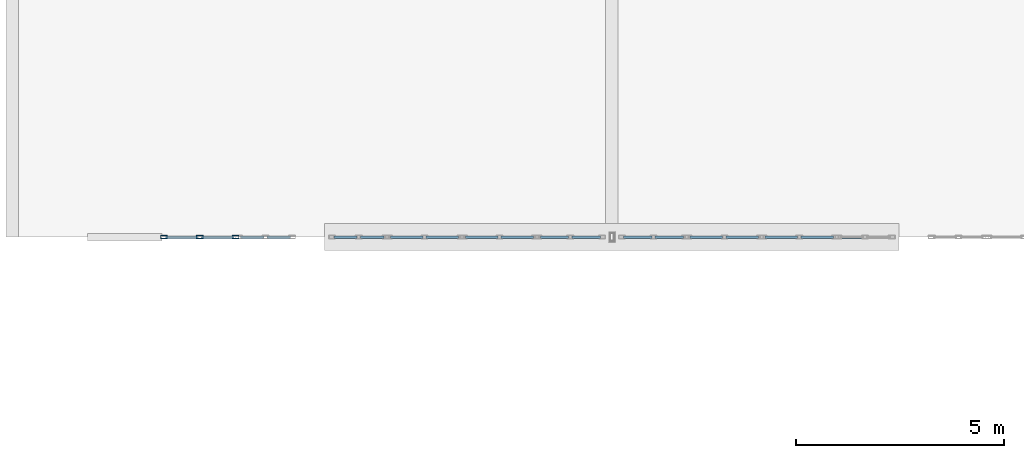
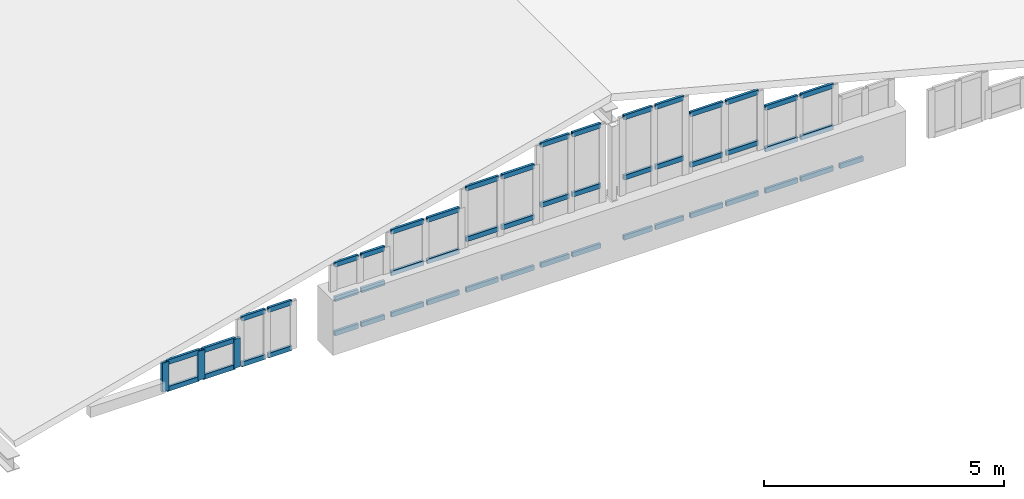
# One storey, part 32 of 76: 54 members, 10 elements without a shape of their own.
"""IFC4 building model written with IfcOpenShell, lengths in metres."""

from ifc_helpers import new_model, si_unit, direction, frame, origin, origin_2d, place, context, subcontext, project, spatial, hollow_rectangle, extrude, material, layer, layer_set, material_profile, profile_set, type_object, element, aggregate, save


model = new_model("IFC4")

# Units and contexts
model_context = context("Model", 3, precision=1e-05, world=origin(), true_north=direction((0.0, 1.0)))
body_context = subcontext(model_context, "Body", "Model", "MODEL_VIEW")
ifc_project = project(units=[si_unit("LENGTHUNIT", "METRE"), si_unit("AREAUNIT", "SQUARE_METRE"), si_unit("VOLUMEUNIT", "CUBIC_METRE"), si_unit("PLANEANGLEUNIT", "RADIAN"), si_unit("MASSUNIT", "GRAM", prefix="KILO"), si_unit("THERMODYNAMICTEMPERATUREUNIT", "KELVIN"), si_unit("POWERUNIT", "WATT")], contexts=[model_context])

# Site, building, storey
site_placement = place(None, origin())
site = spatial("IfcSite", under=ifc_project, at=site_placement, CompositionType="ELEMENT")
building_placement = place(site_placement, origin())
building = spatial("IfcBuilding", under=site, at=building_placement, Name="Kaldorven Railside Theatre", CompositionType="ELEMENT")
storey_placement = place(building_placement, frame((0.0, 0.0, 14.39990234375)))
storey = spatial("IfcBuildingStorey", under=building, at=storey_placement, Name="L03", CompositionType="ELEMENT", Elevation=14.39990234375)

# Curtain wall, members
ifc_material_1 = material(Name="Low-E laminated solar-control glass", Category="glass")
ifc_layer_1 = layer(ifc_material_1, 0.159912109375, Name="Low-E laminated solar-control glass")
ifc_layer_set_1 = layer_set([ifc_layer_1], Name="Low-E laminated solar-control glass")
curtain_wall_type_1 = type_object("IfcCurtainWallType", Name="CWT-60", PredefinedType="USERDEFINED", material=ifc_layer_set_1)
curtain_wall_1_placement = place(storey_placement, origin())
curtain_wall_1 = element("IfcCurtainWall", 1, at=curtain_wall_1_placement, inside=storey, type_object=curtain_wall_type_1, Name="Studio South Gable Clerestory CWG-112", ObjectType="FLUTED GLAZING", PredefinedType="USERDEFINED")
ifc_material_2 = material(Name="Anodised bronze aluminium", Category="aluminium")
ifc_material_profile_1 = material_profile(ifc_material_2, hollow_rectangle(XDim=0.080078125, YDim=0.159912109375, WallThickness=0.00634765625, at=origin_2d()), Name="RHS 160x80x6.3")
ifc_profile_set_1 = profile_set([ifc_material_profile_1], Name="Anodised bronze aluminium")
member_type_1 = type_object("IfcMemberType", Name="CWM-160", PredefinedType="MULLION", material=ifc_profile_set_1)
member_1_placement = place(storey_placement, frame((11.639892578125, 19.199951171875, 0.02001953125), z_axis=(0.0, 0.0, 1.0), x_axis=(0.0, 1.0, 0.0)))
member_1 = element("IfcMember", 2, at=member_1_placement, type_object=member_type_1, Name="CWG-112 mullion 1", PredefinedType="MULLION", context=body_context, shape_type="SweptSolid", body=[
    extrude(hollow_rectangle(XDim=0.080078125, YDim=0.159912109375, WallThickness=0.00634765625, at=origin_2d()), origin(), (0.0, 0.0, 1.0), 0.739990234375),
])
member_2_placement = place(storey_placement, frame((12.5, 19.199951171875, 0.02001953125), z_axis=(0.0, 0.0, 1.0), x_axis=(0.0, 1.0, 0.0)))
member_2 = element("IfcMember", 3, at=member_2_placement, type_object=member_type_1, Name="CWG-112 mullion 2", PredefinedType="MULLION", context=body_context, shape_type="SweptSolid", body=[
    extrude(hollow_rectangle(XDim=0.080078125, YDim=0.159912109375, WallThickness=0.00634765625, at=origin_2d()), origin(), (0.0, 0.0, 1.0), 0.739990234375),
])
member_3_placement = place(storey_placement, frame((13.360107421875, 19.199951171875, 0.02001953125), z_axis=(0.0, 0.0, 1.0), x_axis=(0.0, 1.0, 0.0)))
member_3 = element("IfcMember", 4, at=member_3_placement, type_object=member_type_1, Name="CWG-112 mullion 3", PredefinedType="MULLION", context=body_context, shape_type="SweptSolid", body=[
    extrude(hollow_rectangle(XDim=0.080078125, YDim=0.159912109375, WallThickness=0.00634765625, at=origin_2d()), origin(), (0.0, 0.0, 1.0), 0.739990234375),
])
ifc_material_profile_2 = material_profile(ifc_material_2, hollow_rectangle(XDim=0.06005859375, YDim=0.1201171875, WallThickness=0.0048828125, at=origin_2d()), Name="RHS 120x60x5")
ifc_profile_set_2 = profile_set([ifc_material_profile_2], Name="Anodised bronze aluminium")
member_type_2 = type_object("IfcMemberType", Name="CWT-120", PredefinedType="USERDEFINED", material=ifc_profile_set_2)
member_4_placement = place(storey_placement, frame((11.679931640625, 19.199951171875, 0.050048828125), z_axis=(1.0, 0.0, 0.0), x_axis=(0.0, 1.0, 0.0)))
member_4 = element("IfcMember", 5, at=member_4_placement, type_object=member_type_2, Name="CWG-112 transom 1.1", ObjectType="TRANSOM", PredefinedType="USERDEFINED", context=body_context, shape_type="SweptSolid", body=[
    extrude(hollow_rectangle(XDim=0.06005859375, YDim=0.1201171875, WallThickness=0.0048828125, at=origin_2d()), origin(), (0.0, 0.0, 1.0), 0.780029296875),
])
member_5_placement = place(storey_placement, frame((11.679931640625, 19.199951171875, 0.72998046875), z_axis=(1.0, 0.0, 0.0), x_axis=(0.0, 1.0, 0.0)))
member_5 = element("IfcMember", 6, at=member_5_placement, type_object=member_type_2, Name="CWG-112 transom 1.2", ObjectType="TRANSOM", PredefinedType="USERDEFINED", context=body_context, shape_type="SweptSolid", body=[
    extrude(hollow_rectangle(XDim=0.06005859375, YDim=0.1201171875, WallThickness=0.0048828125, at=origin_2d()), origin(), (0.0, 0.0, 1.0), 0.780029296875),
])
member_6_placement = place(storey_placement, frame((12.5400390625, 19.199951171875, 0.050048828125), z_axis=(1.0, 0.0, 0.0), x_axis=(0.0, 1.0, 0.0)))
member_6 = element("IfcMember", 7, at=member_6_placement, type_object=member_type_2, Name="CWG-112 transom 2.1", ObjectType="TRANSOM", PredefinedType="USERDEFINED", context=body_context, shape_type="SweptSolid", body=[
    extrude(hollow_rectangle(XDim=0.06005859375, YDim=0.1201171875, WallThickness=0.0048828125, at=origin_2d()), origin(), (0.0, 0.0, 1.0), 0.780029296875),
])
member_7_placement = place(storey_placement, frame((12.5400390625, 19.199951171875, 0.72998046875), z_axis=(1.0, 0.0, 0.0), x_axis=(0.0, 1.0, 0.0)))
member_7 = element("IfcMember", 8, at=member_7_placement, type_object=member_type_2, Name="CWG-112 transom 2.2", ObjectType="TRANSOM", PredefinedType="USERDEFINED", context=body_context, shape_type="SweptSolid", body=[
    extrude(hollow_rectangle(XDim=0.06005859375, YDim=0.1201171875, WallThickness=0.0048828125, at=origin_2d()), origin(), (0.0, 0.0, 1.0), 0.780029296875),
])
aggregate(curtain_wall_1, [member_1, member_2, member_3, member_4, member_5, member_6, member_7])

ifc_layer_2 = layer(ifc_material_1, 0.159912109375, Name="Low-E laminated solar-control glass")
ifc_layer_set_2 = layer_set([ifc_layer_2], Name="Low-E laminated solar-control glass")
curtain_wall_type_2 = type_object("IfcCurtainWallType", Name="CWT-61", PredefinedType="USERDEFINED", material=ifc_layer_set_2)
curtain_wall_2_placement = place(storey_placement, origin())
curtain_wall_2 = element("IfcCurtainWall", 9, at=curtain_wall_2_placement, inside=storey, type_object=curtain_wall_type_2, Name="Studio South Gable Clerestory CWG-113", ObjectType="FLUTED GLAZING", PredefinedType="USERDEFINED")
member_8_placement = place(storey_placement, frame((13.47998046875, 19.199951171875, 0.050048828125), z_axis=(1.0, 0.0, 0.0), x_axis=(0.0, 1.0, 0.0)))
member_8 = element("IfcMember", 10, at=member_8_placement, type_object=member_type_2, Name="CWG-113 transom 1.1", ObjectType="TRANSOM", PredefinedType="USERDEFINED", context=body_context, shape_type="SweptSolid", body=[
    extrude(hollow_rectangle(XDim=0.06005859375, YDim=0.1201171875, WallThickness=0.0048828125, at=origin_2d()), origin(), (0.0, 0.0, 1.0), 0.56005859375),
])
member_9_placement = place(storey_placement, frame((13.47998046875, 19.199951171875, 1.210205078125), z_axis=(1.0, 0.0, 0.0), x_axis=(0.0, 1.0, 0.0)))
member_9 = element("IfcMember", 11, at=member_9_placement, type_object=member_type_2, Name="CWG-113 transom 1.2", ObjectType="TRANSOM", PredefinedType="USERDEFINED", context=body_context, shape_type="SweptSolid", body=[
    extrude(hollow_rectangle(XDim=0.06005859375, YDim=0.1201171875, WallThickness=0.0048828125, at=origin_2d()), origin(), (0.0, 0.0, 1.0), 0.56005859375),
])
member_10_placement = place(storey_placement, frame((14.1201171875, 19.199951171875, 0.050048828125), z_axis=(1.0, 0.0, 0.0), x_axis=(0.0, 1.0, 0.0)))
member_10 = element("IfcMember", 12, at=member_10_placement, type_object=member_type_2, Name="CWG-113 transom 2.1", ObjectType="TRANSOM", PredefinedType="USERDEFINED", context=body_context, shape_type="SweptSolid", body=[
    extrude(hollow_rectangle(XDim=0.06005859375, YDim=0.1201171875, WallThickness=0.0048828125, at=origin_2d()), origin(), (0.0, 0.0, 1.0), 0.559814453125),
])
member_11_placement = place(storey_placement, frame((14.1201171875, 19.199951171875, 1.210205078125), z_axis=(1.0, 0.0, 0.0), x_axis=(0.0, 1.0, 0.0)))
member_11 = element("IfcMember", 13, at=member_11_placement, type_object=member_type_2, Name="CWG-113 transom 2.2", ObjectType="TRANSOM", PredefinedType="USERDEFINED", context=body_context, shape_type="SweptSolid", body=[
    extrude(hollow_rectangle(XDim=0.06005859375, YDim=0.1201171875, WallThickness=0.0048828125, at=origin_2d()), origin(), (0.0, 0.0, 1.0), 0.559814453125),
])
aggregate(curtain_wall_2, [member_8, member_9, member_10, member_11])

ifc_layer_3 = layer(ifc_material_1, 0.159912109375, Name="Low-E laminated solar-control glass")
ifc_layer_set_3 = layer_set([ifc_layer_3], Name="Low-E laminated solar-control glass")
curtain_wall_type_3 = type_object("IfcCurtainWallType", Name="CWT-62", PredefinedType="USERDEFINED", material=ifc_layer_set_3)
curtain_wall_3_placement = place(storey_placement, origin())
curtain_wall_3 = element("IfcCurtainWall", 14, at=curtain_wall_3_placement, inside=storey, type_object=curtain_wall_type_3, Name="Studio South Gable Clerestory CWG-114", ObjectType="FLUTED GLAZING", PredefinedType="USERDEFINED")
member_12_placement = place(storey_placement, frame((15.719970703125, 19.199951171875, 0.050048828125), z_axis=(1.0, 0.0, 0.0), x_axis=(0.0, 1.0, 0.0)))
member_12 = element("IfcMember", 15, at=member_12_placement, type_object=member_type_2, Name="CWG-114 transom 1.1", ObjectType="TRANSOM", PredefinedType="USERDEFINED", context=body_context, shape_type="SweptSolid", body=[
    extrude(hollow_rectangle(XDim=0.06005859375, YDim=0.1201171875, WallThickness=0.0048828125, at=origin_2d()), origin(), (0.0, 0.0, 1.0), 0.56005859375),
])
member_13_placement = place(storey_placement, frame((15.719970703125, 19.199951171875, 0.925048828125), z_axis=(1.0, 0.0, 0.0), x_axis=(0.0, 1.0, 0.0)))
member_13 = element("IfcMember", 16, at=member_13_placement, type_object=member_type_2, Name="CWG-114 transom 1.2", ObjectType="TRANSOM", PredefinedType="USERDEFINED", context=body_context, shape_type="SweptSolid", body=[
    extrude(hollow_rectangle(XDim=0.06005859375, YDim=0.1201171875, WallThickness=0.0048828125, at=origin_2d()), origin(), (0.0, 0.0, 1.0), 0.56005859375),
])
member_14_placement = place(storey_placement, frame((15.719970703125, 19.199951171875, 1.800048828125), z_axis=(1.0, 0.0, 0.0), x_axis=(0.0, 1.0, 0.0)))
member_14 = element("IfcMember", 17, at=member_14_placement, type_object=member_type_2, Name="CWG-114 transom 1.3", ObjectType="TRANSOM", PredefinedType="USERDEFINED", context=body_context, shape_type="SweptSolid", body=[
    extrude(hollow_rectangle(XDim=0.06005859375, YDim=0.1201171875, WallThickness=0.0048828125, at=origin_2d()), origin(), (0.0, 0.0, 1.0), 0.56005859375),
])
member_15_placement = place(storey_placement, frame((16.360107421875, 19.199951171875, 0.050048828125), z_axis=(1.0, 0.0, 0.0), x_axis=(0.0, 1.0, 0.0)))
member_15 = element("IfcMember", 18, at=member_15_placement, type_object=member_type_2, Name="CWG-114 transom 2.1", ObjectType="TRANSOM", PredefinedType="USERDEFINED", context=body_context, shape_type="SweptSolid", body=[
    extrude(hollow_rectangle(XDim=0.06005859375, YDim=0.1201171875, WallThickness=0.0048828125, at=origin_2d()), origin(), (0.0, 0.0, 1.0), 0.559814453125),
])
member_16_placement = place(storey_placement, frame((16.360107421875, 19.199951171875, 0.925048828125), z_axis=(1.0, 0.0, 0.0), x_axis=(0.0, 1.0, 0.0)))
member_16 = element("IfcMember", 19, at=member_16_placement, type_object=member_type_2, Name="CWG-114 transom 2.2", ObjectType="TRANSOM", PredefinedType="USERDEFINED", context=body_context, shape_type="SweptSolid", body=[
    extrude(hollow_rectangle(XDim=0.06005859375, YDim=0.1201171875, WallThickness=0.0048828125, at=origin_2d()), origin(), (0.0, 0.0, 1.0), 0.559814453125),
])
member_17_placement = place(storey_placement, frame((16.360107421875, 19.199951171875, 1.800048828125), z_axis=(1.0, 0.0, 0.0), x_axis=(0.0, 1.0, 0.0)))
member_17 = element("IfcMember", 20, at=member_17_placement, type_object=member_type_2, Name="CWG-114 transom 2.3", ObjectType="TRANSOM", PredefinedType="USERDEFINED", context=body_context, shape_type="SweptSolid", body=[
    extrude(hollow_rectangle(XDim=0.06005859375, YDim=0.1201171875, WallThickness=0.0048828125, at=origin_2d()), origin(), (0.0, 0.0, 1.0), 0.559814453125),
])
aggregate(curtain_wall_3, [member_12, member_13, member_14, member_15, member_16, member_17])

ifc_layer_4 = layer(ifc_material_1, 0.159912109375, Name="Low-E laminated solar-control glass")
ifc_layer_set_4 = layer_set([ifc_layer_4], Name="Low-E laminated solar-control glass")
curtain_wall_type_4 = type_object("IfcCurtainWallType", Name="CWT-63", PredefinedType="USERDEFINED", material=ifc_layer_set_4)
curtain_wall_4_placement = place(storey_placement, origin())
curtain_wall_4 = element("IfcCurtainWall", 21, at=curtain_wall_4_placement, inside=storey, type_object=curtain_wall_type_4, Name="Studio South Gable Clerestory CWG-115", ObjectType="FLUTED GLAZING", PredefinedType="USERDEFINED")
member_18_placement = place(storey_placement, frame((17.080078125, 19.199951171875, 0.050048828125), z_axis=(1.0, 0.0, 0.0), x_axis=(0.0, 1.0, 0.0)))
member_18 = element("IfcMember", 22, at=member_18_placement, type_object=member_type_2, Name="CWG-115 transom 1.1", ObjectType="TRANSOM", PredefinedType="USERDEFINED", context=body_context, shape_type="SweptSolid", body=[
    extrude(hollow_rectangle(XDim=0.06005859375, YDim=0.1201171875, WallThickness=0.0048828125, at=origin_2d()), origin(), (0.0, 0.0, 1.0), 0.780029296875),
])
member_19_placement = place(storey_placement, frame((17.080078125, 19.199951171875, 1.10498046875), z_axis=(1.0, 0.0, 0.0), x_axis=(0.0, 1.0, 0.0)))
member_19 = element("IfcMember", 23, at=member_19_placement, type_object=member_type_2, Name="CWG-115 transom 1.2", ObjectType="TRANSOM", PredefinedType="USERDEFINED", context=body_context, shape_type="SweptSolid", body=[
    extrude(hollow_rectangle(XDim=0.06005859375, YDim=0.1201171875, WallThickness=0.0048828125, at=origin_2d()), origin(), (0.0, 0.0, 1.0), 0.780029296875),
])
member_20_placement = place(storey_placement, frame((17.080078125, 19.199951171875, 2.16015625), z_axis=(1.0, 0.0, 0.0), x_axis=(0.0, 1.0, 0.0)))
member_20 = element("IfcMember", 24, at=member_20_placement, type_object=member_type_2, Name="CWG-115 transom 1.3", ObjectType="TRANSOM", PredefinedType="USERDEFINED", context=body_context, shape_type="SweptSolid", body=[
    extrude(hollow_rectangle(XDim=0.06005859375, YDim=0.1201171875, WallThickness=0.0048828125, at=origin_2d()), origin(), (0.0, 0.0, 1.0), 0.780029296875),
])
member_21_placement = place(storey_placement, frame((17.93994140625, 19.199951171875, 0.050048828125), z_axis=(1.0, 0.0, 0.0), x_axis=(0.0, 1.0, 0.0)))
member_21 = element("IfcMember", 25, at=member_21_placement, type_object=member_type_2, Name="CWG-115 transom 2.1", ObjectType="TRANSOM", PredefinedType="USERDEFINED", context=body_context, shape_type="SweptSolid", body=[
    extrude(hollow_rectangle(XDim=0.06005859375, YDim=0.1201171875, WallThickness=0.0048828125, at=origin_2d()), origin(), (0.0, 0.0, 1.0), 0.780029296875),
])
member_22_placement = place(storey_placement, frame((17.93994140625, 19.199951171875, 1.10498046875), z_axis=(1.0, 0.0, 0.0), x_axis=(0.0, 1.0, 0.0)))
member_22 = element("IfcMember", 26, at=member_22_placement, type_object=member_type_2, Name="CWG-115 transom 2.2", ObjectType="TRANSOM", PredefinedType="USERDEFINED", context=body_context, shape_type="SweptSolid", body=[
    extrude(hollow_rectangle(XDim=0.06005859375, YDim=0.1201171875, WallThickness=0.0048828125, at=origin_2d()), origin(), (0.0, 0.0, 1.0), 0.780029296875),
])
member_23_placement = place(storey_placement, frame((17.93994140625, 19.199951171875, 2.16015625), z_axis=(1.0, 0.0, 0.0), x_axis=(0.0, 1.0, 0.0)))
member_23 = element("IfcMember", 27, at=member_23_placement, type_object=member_type_2, Name="CWG-115 transom 2.3", ObjectType="TRANSOM", PredefinedType="USERDEFINED", context=body_context, shape_type="SweptSolid", body=[
    extrude(hollow_rectangle(XDim=0.06005859375, YDim=0.1201171875, WallThickness=0.0048828125, at=origin_2d()), origin(), (0.0, 0.0, 1.0), 0.780029296875),
])
aggregate(curtain_wall_4, [member_18, member_19, member_20, member_21, member_22, member_23])

ifc_layer_5 = layer(ifc_material_1, 0.159912109375, Name="Low-E laminated solar-control glass")
ifc_layer_set_5 = layer_set([ifc_layer_5], Name="Low-E laminated solar-control glass")
curtain_wall_type_5 = type_object("IfcCurtainWallType", Name="CWT-64", PredefinedType="USERDEFINED", material=ifc_layer_set_5)
curtain_wall_5_placement = place(storey_placement, origin())
curtain_wall_5 = element("IfcCurtainWall", 28, at=curtain_wall_5_placement, inside=storey, type_object=curtain_wall_type_5, Name="Studio South Gable Clerestory CWG-116", ObjectType="FLUTED GLAZING", PredefinedType="USERDEFINED")
member_24_placement = place(storey_placement, frame((18.8798828125, 19.199951171875, 0.050048828125), z_axis=(1.0, 0.0, 0.0), x_axis=(0.0, 1.0, 0.0)))
member_24 = element("IfcMember", 29, at=member_24_placement, type_object=member_type_2, Name="CWG-116 transom 1.1", ObjectType="TRANSOM", PredefinedType="USERDEFINED", context=body_context, shape_type="SweptSolid", body=[
    extrude(hollow_rectangle(XDim=0.06005859375, YDim=0.1201171875, WallThickness=0.0048828125, at=origin_2d()), origin(), (0.0, 0.0, 1.0), 0.780029296875),
])
member_25_placement = place(storey_placement, frame((18.8798828125, 19.199951171875, 1.340087890625), z_axis=(1.0, 0.0, 0.0), x_axis=(0.0, 1.0, 0.0)))
member_25 = element("IfcMember", 30, at=member_25_placement, type_object=member_type_2, Name="CWG-116 transom 1.2", ObjectType="TRANSOM", PredefinedType="USERDEFINED", context=body_context, shape_type="SweptSolid", body=[
    extrude(hollow_rectangle(XDim=0.06005859375, YDim=0.1201171875, WallThickness=0.0048828125, at=origin_2d()), origin(), (0.0, 0.0, 1.0), 0.780029296875),
])
member_26_placement = place(storey_placement, frame((18.8798828125, 19.199951171875, 2.630126953125), z_axis=(1.0, 0.0, 0.0), x_axis=(0.0, 1.0, 0.0)))
member_26 = element("IfcMember", 31, at=member_26_placement, type_object=member_type_2, Name="CWG-116 transom 1.3", ObjectType="TRANSOM", PredefinedType="USERDEFINED", context=body_context, shape_type="SweptSolid", body=[
    extrude(hollow_rectangle(XDim=0.06005859375, YDim=0.1201171875, WallThickness=0.0048828125, at=origin_2d()), origin(), (0.0, 0.0, 1.0), 0.780029296875),
])
member_27_placement = place(storey_placement, frame((19.739990234375, 19.199951171875, 0.050048828125), z_axis=(1.0, 0.0, 0.0), x_axis=(0.0, 1.0, 0.0)))
member_27 = element("IfcMember", 32, at=member_27_placement, type_object=member_type_2, Name="CWG-116 transom 2.1", ObjectType="TRANSOM", PredefinedType="USERDEFINED", context=body_context, shape_type="SweptSolid", body=[
    extrude(hollow_rectangle(XDim=0.06005859375, YDim=0.1201171875, WallThickness=0.0048828125, at=origin_2d()), origin(), (0.0, 0.0, 1.0), 0.780029296875),
])
member_28_placement = place(storey_placement, frame((19.739990234375, 19.199951171875, 1.340087890625), z_axis=(1.0, 0.0, 0.0), x_axis=(0.0, 1.0, 0.0)))
member_28 = element("IfcMember", 33, at=member_28_placement, type_object=member_type_2, Name="CWG-116 transom 2.2", ObjectType="TRANSOM", PredefinedType="USERDEFINED", context=body_context, shape_type="SweptSolid", body=[
    extrude(hollow_rectangle(XDim=0.06005859375, YDim=0.1201171875, WallThickness=0.0048828125, at=origin_2d()), origin(), (0.0, 0.0, 1.0), 0.780029296875),
])
member_29_placement = place(storey_placement, frame((19.739990234375, 19.199951171875, 2.630126953125), z_axis=(1.0, 0.0, 0.0), x_axis=(0.0, 1.0, 0.0)))
member_29 = element("IfcMember", 34, at=member_29_placement, type_object=member_type_2, Name="CWG-116 transom 2.3", ObjectType="TRANSOM", PredefinedType="USERDEFINED", context=body_context, shape_type="SweptSolid", body=[
    extrude(hollow_rectangle(XDim=0.06005859375, YDim=0.1201171875, WallThickness=0.0048828125, at=origin_2d()), origin(), (0.0, 0.0, 1.0), 0.780029296875),
])
aggregate(curtain_wall_5, [member_24, member_25, member_26, member_27, member_28, member_29])

ifc_layer_6 = layer(ifc_material_1, 0.159912109375, Name="Low-E laminated solar-control glass")
ifc_layer_set_6 = layer_set([ifc_layer_6], Name="Low-E laminated solar-control glass")
curtain_wall_type_6 = type_object("IfcCurtainWallType", Name="CWT-65", PredefinedType="USERDEFINED", material=ifc_layer_set_6)
curtain_wall_6_placement = place(storey_placement, origin())
curtain_wall_6 = element("IfcCurtainWall", 35, at=curtain_wall_6_placement, inside=storey, type_object=curtain_wall_type_6, Name="Studio South Gable Clerestory CWG-117", ObjectType="FLUTED GLAZING", PredefinedType="USERDEFINED")
member_30_placement = place(storey_placement, frame((20.679931640625, 19.199951171875, 0.050048828125), z_axis=(1.0, 0.0, 0.0), x_axis=(0.0, 1.0, 0.0)))
member_30 = element("IfcMember", 36, at=member_30_placement, type_object=member_type_2, Name="CWG-117 transom 1.1", ObjectType="TRANSOM", PredefinedType="USERDEFINED", context=body_context, shape_type="SweptSolid", body=[
    extrude(hollow_rectangle(XDim=0.06005859375, YDim=0.1201171875, WallThickness=0.0048828125, at=origin_2d()), origin(), (0.0, 0.0, 1.0), 0.68017578125),
])
member_31_placement = place(storey_placement, frame((20.679931640625, 19.199951171875, 1.580078125), z_axis=(1.0, 0.0, 0.0), x_axis=(0.0, 1.0, 0.0)))
member_31 = element("IfcMember", 37, at=member_31_placement, type_object=member_type_2, Name="CWG-117 transom 1.2", ObjectType="TRANSOM", PredefinedType="USERDEFINED", context=body_context, shape_type="SweptSolid", body=[
    extrude(hollow_rectangle(XDim=0.06005859375, YDim=0.1201171875, WallThickness=0.0048828125, at=origin_2d()), origin(), (0.0, 0.0, 1.0), 0.68017578125),
])
member_32_placement = place(storey_placement, frame((20.679931640625, 19.199951171875, 3.110107421875), z_axis=(1.0, 0.0, 0.0), x_axis=(0.0, 1.0, 0.0)))
member_32 = element("IfcMember", 38, at=member_32_placement, type_object=member_type_2, Name="CWG-117 transom 1.3", ObjectType="TRANSOM", PredefinedType="USERDEFINED", context=body_context, shape_type="SweptSolid", body=[
    extrude(hollow_rectangle(XDim=0.06005859375, YDim=0.1201171875, WallThickness=0.0048828125, at=origin_2d()), origin(), (0.0, 0.0, 1.0), 0.68017578125),
])
member_33_placement = place(storey_placement, frame((21.43994140625, 19.199951171875, 0.050048828125), z_axis=(1.0, 0.0, 0.0), x_axis=(0.0, 1.0, 0.0)))
member_33 = element("IfcMember", 39, at=member_33_placement, type_object=member_type_2, Name="CWG-117 transom 2.1", ObjectType="TRANSOM", PredefinedType="USERDEFINED", context=body_context, shape_type="SweptSolid", body=[
    extrude(hollow_rectangle(XDim=0.06005859375, YDim=0.1201171875, WallThickness=0.0048828125, at=origin_2d()), origin(), (0.0, 0.0, 1.0), 0.68017578125),
])
member_34_placement = place(storey_placement, frame((21.43994140625, 19.199951171875, 1.580078125), z_axis=(1.0, 0.0, 0.0), x_axis=(0.0, 1.0, 0.0)))
member_34 = element("IfcMember", 40, at=member_34_placement, type_object=member_type_2, Name="CWG-117 transom 2.2", ObjectType="TRANSOM", PredefinedType="USERDEFINED", context=body_context, shape_type="SweptSolid", body=[
    extrude(hollow_rectangle(XDim=0.06005859375, YDim=0.1201171875, WallThickness=0.0048828125, at=origin_2d()), origin(), (0.0, 0.0, 1.0), 0.68017578125),
])
member_35_placement = place(storey_placement, frame((21.43994140625, 19.199951171875, 3.110107421875), z_axis=(1.0, 0.0, 0.0), x_axis=(0.0, 1.0, 0.0)))
member_35 = element("IfcMember", 41, at=member_35_placement, type_object=member_type_2, Name="CWG-117 transom 2.3", ObjectType="TRANSOM", PredefinedType="USERDEFINED", context=body_context, shape_type="SweptSolid", body=[
    extrude(hollow_rectangle(XDim=0.06005859375, YDim=0.1201171875, WallThickness=0.0048828125, at=origin_2d()), origin(), (0.0, 0.0, 1.0), 0.68017578125),
])
aggregate(curtain_wall_6, [member_30, member_31, member_32, member_33, member_34, member_35])

curtain_wall_7_placement = place(storey_placement, origin())
curtain_wall_7 = element("IfcCurtainWall", 42, at=curtain_wall_7_placement, inside=storey, type_object=curtain_wall_type_6, Name="Studio South Gable Clerestory CWG-118", ObjectType="FLUTED GLAZING", PredefinedType="USERDEFINED")
member_36_placement = place(storey_placement, frame((22.679931640625, 19.199951171875, 0.050048828125), z_axis=(1.0, 0.0, 0.0), x_axis=(0.0, 1.0, 0.0)))
member_36 = element("IfcMember", 43, at=member_36_placement, type_object=member_type_2, Name="CWG-118 transom 1.1", ObjectType="TRANSOM", PredefinedType="USERDEFINED", context=body_context, shape_type="SweptSolid", body=[
    extrude(hollow_rectangle(XDim=0.06005859375, YDim=0.1201171875, WallThickness=0.0048828125, at=origin_2d()), origin(), (0.0, 0.0, 1.0), 0.68017578125),
])
member_37_placement = place(storey_placement, frame((22.679931640625, 19.199951171875, 1.580078125), z_axis=(1.0, 0.0, 0.0), x_axis=(0.0, 1.0, 0.0)))
member_37 = element("IfcMember", 44, at=member_37_placement, type_object=member_type_2, Name="CWG-118 transom 1.2", ObjectType="TRANSOM", PredefinedType="USERDEFINED", context=body_context, shape_type="SweptSolid", body=[
    extrude(hollow_rectangle(XDim=0.06005859375, YDim=0.1201171875, WallThickness=0.0048828125, at=origin_2d()), origin(), (0.0, 0.0, 1.0), 0.68017578125),
])
member_38_placement = place(storey_placement, frame((22.679931640625, 19.199951171875, 3.110107421875), z_axis=(1.0, 0.0, 0.0), x_axis=(0.0, 1.0, 0.0)))
member_38 = element("IfcMember", 45, at=member_38_placement, type_object=member_type_2, Name="CWG-118 transom 1.3", ObjectType="TRANSOM", PredefinedType="USERDEFINED", context=body_context, shape_type="SweptSolid", body=[
    extrude(hollow_rectangle(XDim=0.06005859375, YDim=0.1201171875, WallThickness=0.0048828125, at=origin_2d()), origin(), (0.0, 0.0, 1.0), 0.68017578125),
])
member_39_placement = place(storey_placement, frame((23.43994140625, 19.199951171875, 0.050048828125), z_axis=(1.0, 0.0, 0.0), x_axis=(0.0, 1.0, 0.0)))
member_39 = element("IfcMember", 46, at=member_39_placement, type_object=member_type_2, Name="CWG-118 transom 2.1", ObjectType="TRANSOM", PredefinedType="USERDEFINED", context=body_context, shape_type="SweptSolid", body=[
    extrude(hollow_rectangle(XDim=0.06005859375, YDim=0.1201171875, WallThickness=0.0048828125, at=origin_2d()), origin(), (0.0, 0.0, 1.0), 0.68017578125),
])
member_40_placement = place(storey_placement, frame((23.43994140625, 19.199951171875, 1.580078125), z_axis=(1.0, 0.0, 0.0), x_axis=(0.0, 1.0, 0.0)))
member_40 = element("IfcMember", 47, at=member_40_placement, type_object=member_type_2, Name="CWG-118 transom 2.2", ObjectType="TRANSOM", PredefinedType="USERDEFINED", context=body_context, shape_type="SweptSolid", body=[
    extrude(hollow_rectangle(XDim=0.06005859375, YDim=0.1201171875, WallThickness=0.0048828125, at=origin_2d()), origin(), (0.0, 0.0, 1.0), 0.68017578125),
])
member_41_placement = place(storey_placement, frame((23.43994140625, 19.199951171875, 3.110107421875), z_axis=(1.0, 0.0, 0.0), x_axis=(0.0, 1.0, 0.0)))
member_41 = element("IfcMember", 48, at=member_41_placement, type_object=member_type_2, Name="CWG-118 transom 2.3", ObjectType="TRANSOM", PredefinedType="USERDEFINED", context=body_context, shape_type="SweptSolid", body=[
    extrude(hollow_rectangle(XDim=0.06005859375, YDim=0.1201171875, WallThickness=0.0048828125, at=origin_2d()), origin(), (0.0, 0.0, 1.0), 0.68017578125),
])
aggregate(curtain_wall_7, [member_36, member_37, member_38, member_39, member_40, member_41])

curtain_wall_8_placement = place(storey_placement, origin())
curtain_wall_8 = element("IfcCurtainWall", 49, at=curtain_wall_8_placement, inside=storey, type_object=curtain_wall_type_5, Name="Studio South Gable Clerestory CWG-119", ObjectType="FLUTED GLAZING", PredefinedType="USERDEFINED")
member_42_placement = place(storey_placement, frame((24.280029296875, 19.199951171875, 0.050048828125), z_axis=(1.0, 0.0, 0.0), x_axis=(0.0, 1.0, 0.0)))
member_42 = element("IfcMember", 50, at=member_42_placement, type_object=member_type_2, Name="CWG-119 transom 1.1", ObjectType="TRANSOM", PredefinedType="USERDEFINED", context=body_context, shape_type="SweptSolid", body=[
    extrude(hollow_rectangle(XDim=0.06005859375, YDim=0.1201171875, WallThickness=0.0048828125, at=origin_2d()), origin(), (0.0, 0.0, 1.0), 0.780029296875),
])
member_43_placement = place(storey_placement, frame((24.280029296875, 19.199951171875, 1.340087890625), z_axis=(1.0, 0.0, 0.0), x_axis=(0.0, 1.0, 0.0)))
member_43 = element("IfcMember", 51, at=member_43_placement, type_object=member_type_2, Name="CWG-119 transom 1.2", ObjectType="TRANSOM", PredefinedType="USERDEFINED", context=body_context, shape_type="SweptSolid", body=[
    extrude(hollow_rectangle(XDim=0.06005859375, YDim=0.1201171875, WallThickness=0.0048828125, at=origin_2d()), origin(), (0.0, 0.0, 1.0), 0.780029296875),
])
member_44_placement = place(storey_placement, frame((24.280029296875, 19.199951171875, 2.630126953125), z_axis=(1.0, 0.0, 0.0), x_axis=(0.0, 1.0, 0.0)))
member_44 = element("IfcMember", 52, at=member_44_placement, type_object=member_type_2, Name="CWG-119 transom 1.3", ObjectType="TRANSOM", PredefinedType="USERDEFINED", context=body_context, shape_type="SweptSolid", body=[
    extrude(hollow_rectangle(XDim=0.06005859375, YDim=0.1201171875, WallThickness=0.0048828125, at=origin_2d()), origin(), (0.0, 0.0, 1.0), 0.780029296875),
])
member_45_placement = place(storey_placement, frame((25.139892578125, 19.199951171875, 0.050048828125), z_axis=(1.0, 0.0, 0.0), x_axis=(0.0, 1.0, 0.0)))
member_45 = element("IfcMember", 53, at=member_45_placement, type_object=member_type_2, Name="CWG-119 transom 2.1", ObjectType="TRANSOM", PredefinedType="USERDEFINED", context=body_context, shape_type="SweptSolid", body=[
    extrude(hollow_rectangle(XDim=0.06005859375, YDim=0.1201171875, WallThickness=0.0048828125, at=origin_2d()), origin(), (0.0, 0.0, 1.0), 0.780029296875),
])
member_46_placement = place(storey_placement, frame((25.139892578125, 19.199951171875, 1.340087890625), z_axis=(1.0, 0.0, 0.0), x_axis=(0.0, 1.0, 0.0)))
member_46 = element("IfcMember", 54, at=member_46_placement, type_object=member_type_2, Name="CWG-119 transom 2.2", ObjectType="TRANSOM", PredefinedType="USERDEFINED", context=body_context, shape_type="SweptSolid", body=[
    extrude(hollow_rectangle(XDim=0.06005859375, YDim=0.1201171875, WallThickness=0.0048828125, at=origin_2d()), origin(), (0.0, 0.0, 1.0), 0.780029296875),
])
member_47_placement = place(storey_placement, frame((25.139892578125, 19.199951171875, 2.630126953125), z_axis=(1.0, 0.0, 0.0), x_axis=(0.0, 1.0, 0.0)))
member_47 = element("IfcMember", 55, at=member_47_placement, type_object=member_type_2, Name="CWG-119 transom 2.3", ObjectType="TRANSOM", PredefinedType="USERDEFINED", context=body_context, shape_type="SweptSolid", body=[
    extrude(hollow_rectangle(XDim=0.06005859375, YDim=0.1201171875, WallThickness=0.0048828125, at=origin_2d()), origin(), (0.0, 0.0, 1.0), 0.780029296875),
])
aggregate(curtain_wall_8, [member_42, member_43, member_44, member_45, member_46, member_47])

curtain_wall_9_placement = place(storey_placement, origin())
curtain_wall_9 = element("IfcCurtainWall", 56, at=curtain_wall_9_placement, inside=storey, type_object=curtain_wall_type_4, Name="Studio South Gable Clerestory CWG-120", ObjectType="FLUTED GLAZING", PredefinedType="USERDEFINED")
member_48_placement = place(storey_placement, frame((26.080078125, 19.199951171875, 0.050048828125), z_axis=(1.0, 0.0, 0.0), x_axis=(0.0, 1.0, 0.0)))
member_48 = element("IfcMember", 57, at=member_48_placement, type_object=member_type_2, Name="CWG-120 transom 1.1", ObjectType="TRANSOM", PredefinedType="USERDEFINED", context=body_context, shape_type="SweptSolid", body=[
    extrude(hollow_rectangle(XDim=0.06005859375, YDim=0.1201171875, WallThickness=0.0048828125, at=origin_2d()), origin(), (0.0, 0.0, 1.0), 0.780029296875),
])
member_49_placement = place(storey_placement, frame((26.080078125, 19.199951171875, 1.10498046875), z_axis=(1.0, 0.0, 0.0), x_axis=(0.0, 1.0, 0.0)))
member_49 = element("IfcMember", 58, at=member_49_placement, type_object=member_type_2, Name="CWG-120 transom 1.2", ObjectType="TRANSOM", PredefinedType="USERDEFINED", context=body_context, shape_type="SweptSolid", body=[
    extrude(hollow_rectangle(XDim=0.06005859375, YDim=0.1201171875, WallThickness=0.0048828125, at=origin_2d()), origin(), (0.0, 0.0, 1.0), 0.780029296875),
])
member_50_placement = place(storey_placement, frame((26.080078125, 19.199951171875, 2.16015625), z_axis=(1.0, 0.0, 0.0), x_axis=(0.0, 1.0, 0.0)))
member_50 = element("IfcMember", 59, at=member_50_placement, type_object=member_type_2, Name="CWG-120 transom 1.3", ObjectType="TRANSOM", PredefinedType="USERDEFINED", context=body_context, shape_type="SweptSolid", body=[
    extrude(hollow_rectangle(XDim=0.06005859375, YDim=0.1201171875, WallThickness=0.0048828125, at=origin_2d()), origin(), (0.0, 0.0, 1.0), 0.780029296875),
])
member_51_placement = place(storey_placement, frame((26.93994140625, 19.199951171875, 0.050048828125), z_axis=(1.0, 0.0, 0.0), x_axis=(0.0, 1.0, 0.0)))
member_51 = element("IfcMember", 60, at=member_51_placement, type_object=member_type_2, Name="CWG-120 transom 2.1", ObjectType="TRANSOM", PredefinedType="USERDEFINED", context=body_context, shape_type="SweptSolid", body=[
    extrude(hollow_rectangle(XDim=0.06005859375, YDim=0.1201171875, WallThickness=0.0048828125, at=origin_2d()), origin(), (0.0, 0.0, 1.0), 0.780029296875),
])
member_52_placement = place(storey_placement, frame((26.93994140625, 19.199951171875, 1.10498046875), z_axis=(1.0, 0.0, 0.0), x_axis=(0.0, 1.0, 0.0)))
member_52 = element("IfcMember", 61, at=member_52_placement, type_object=member_type_2, Name="CWG-120 transom 2.2", ObjectType="TRANSOM", PredefinedType="USERDEFINED", context=body_context, shape_type="SweptSolid", body=[
    extrude(hollow_rectangle(XDim=0.06005859375, YDim=0.1201171875, WallThickness=0.0048828125, at=origin_2d()), origin(), (0.0, 0.0, 1.0), 0.780029296875),
])
member_53_placement = place(storey_placement, frame((26.93994140625, 19.199951171875, 2.16015625), z_axis=(1.0, 0.0, 0.0), x_axis=(0.0, 1.0, 0.0)))
member_53 = element("IfcMember", 62, at=member_53_placement, type_object=member_type_2, Name="CWG-120 transom 2.3", ObjectType="TRANSOM", PredefinedType="USERDEFINED", context=body_context, shape_type="SweptSolid", body=[
    extrude(hollow_rectangle(XDim=0.06005859375, YDim=0.1201171875, WallThickness=0.0048828125, at=origin_2d()), origin(), (0.0, 0.0, 1.0), 0.780029296875),
])
aggregate(curtain_wall_9, [member_48, member_49, member_50, member_51, member_52, member_53])

# Curtain wall, member
curtain_wall_10_placement = place(storey_placement, origin())
curtain_wall_10 = element("IfcCurtainWall", 63, at=curtain_wall_10_placement, inside=storey, type_object=curtain_wall_type_3, Name="Studio South Gable Clerestory CWG-121", ObjectType="FLUTED GLAZING", PredefinedType="USERDEFINED")
member_54_placement = place(storey_placement, frame((27.8798828125, 19.199951171875, 0.050048828125), z_axis=(1.0, 0.0, 0.0), x_axis=(0.0, 1.0, 0.0)))
member_54 = element("IfcMember", 64, at=member_54_placement, type_object=member_type_2, Name="CWG-121 transom 1.1", ObjectType="TRANSOM", PredefinedType="USERDEFINED", context=body_context, shape_type="SweptSolid", body=[
    extrude(hollow_rectangle(XDim=0.06005859375, YDim=0.1201171875, WallThickness=0.0048828125, at=origin_2d()), origin(), (0.0, 0.0, 1.0), 0.56005859375),
])
aggregate(curtain_wall_10, [member_54])

save(model, "model.ifc")
